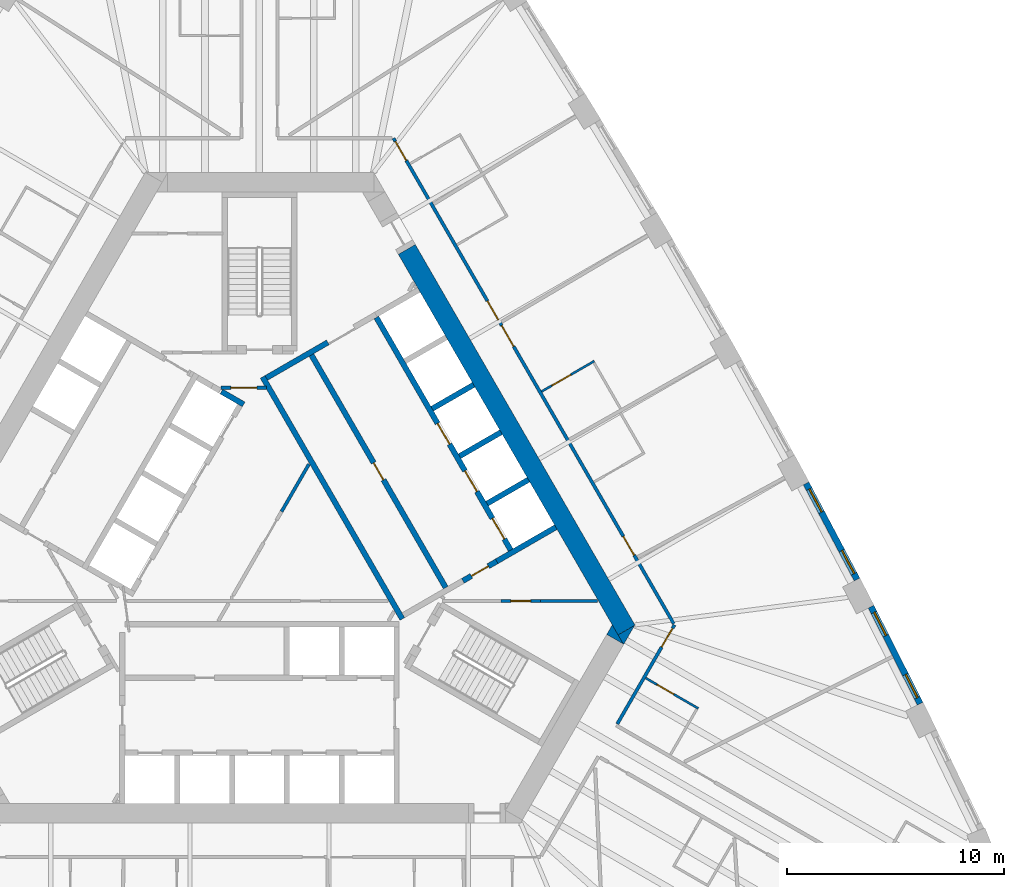
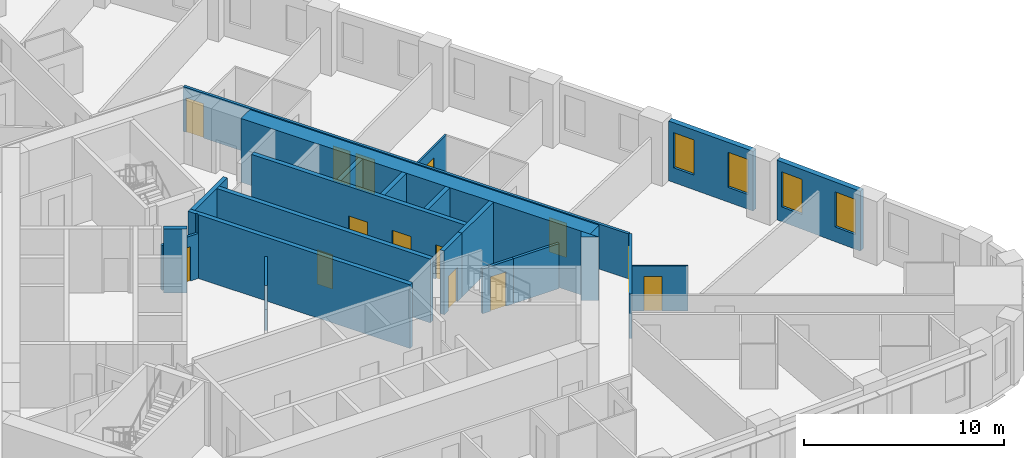
# One storey, part 8 of 13: 23 walls, 14 doors, 4 windows, 18 openings.
"""IFC4 building model written with IfcOpenShell, lengths in metres."""

from ifc_helpers import new_model, si_unit, direction, frame, frame_2d, origin, place, context, subcontext, project, spatial, polyline, rectangle, outline, extrude, material, layer, layer_set, type_object, element, fill, save


model = new_model("IFC4")

# Units and contexts
model_context = context("Model", 3, precision=1e-05, world=origin(), true_north=direction((0.0, 1.0)))
body_context = subcontext(model_context, "Body", "Model", "MODEL_VIEW")
ifc_project = project(units=[si_unit("LENGTHUNIT", "METRE"), si_unit("AREAUNIT", "SQUARE_METRE"), si_unit("VOLUMEUNIT", "CUBIC_METRE"), si_unit("PLANEANGLEUNIT", "RADIAN"), si_unit("MASSUNIT", "GRAM", prefix="KILO")], contexts=[model_context])

# Site, building, storey
site_placement = place(None, origin())
site = spatial("IfcSite", under=ifc_project, at=site_placement, CompositionType="ELEMENT")
building_placement = place(site_placement, origin())
building = spatial("IfcBuilding", under=site, at=building_placement, Name="Mestral Congress Tower", CompositionType="ELEMENT")
storey_placement = place(building_placement, frame((0.0, 0.0, 62.699951171875)))
storey = spatial("IfcBuildingStorey", under=building, at=storey_placement, Name="L14", CompositionType="ELEMENT", Elevation=62.699951171875)

# Walls
ifc_material_1 = material(Name="Fire-rated board partition")
ifc_layer_1 = layer(ifc_material_1, 0.14990234375)
ifc_layer_set_1 = layer_set([ifc_layer_1], Name="Fire-rated board partition")
wall_type_1 = type_object("IfcWallType", Name="Core partition 150", PredefinedType="PARTITIONING", material=ifc_layer_set_1)
wall_1_placement = place(storey_placement, frame((12.914794921875, -2.800048828125, 0.0), z_axis=(0.0, 0.0, 1.0), x_axis=(1.0, 0.0, 0.0)))
element("IfcWall", 1, at=wall_1_placement, inside=storey, type_object=wall_type_1, Name="L14 core wall", PredefinedType="PARTITIONING", context=body_context, shape_type="SweptSolid", body=[
    extrude(rectangle(XDim=2.636962890625, YDim=0.14990234375, at=frame_2d((1.318359375, 0.0))), origin(), (0.0, 0.0, 1.0), 2.75),
])
wall_2_placement = place(storey_placement, frame((1.01611328125, 1.30908203125, 0.0), z_axis=(0.0, 0.0, 1.0), x_axis=(0.49998231768, 0.866035612436, 0.0)))
element("IfcWall", 2, at=wall_2_placement, inside=storey, type_object=wall_type_1, Name="L14 core wall", PredefinedType="PARTITIONING", context=body_context, shape_type="SweptSolid", body=[
    extrude(rectangle(XDim=2.52099609375, YDim=0.14990234375, at=frame_2d((1.260498046875, 0.0))), origin(), (0.0, 0.0, 1.0), 2.75),
])

# Wall, opening, door
wall_3_placement = place(storey_placement, frame((-1.765380859375, 7.0, 0.0), z_axis=(0.0, 0.0, 1.0), x_axis=(1.0, 0.0, 0.0)))
wall_3 = element("IfcWall", 3, at=wall_3_placement, inside=storey, type_object=wall_type_1, Name="L14 door wall", PredefinedType="PARTITIONING", context=body_context, shape_type="SweptSolid", body=[
    extrude(rectangle(XDim=2.10009765625, YDim=0.14990234375, at=frame_2d((1.050048828125, 0.0))), origin(), (0.0, 0.0, 1.0), 2.75),
])
opening_1_placement = place(wall_3_placement, frame((0.449951171875, 0.0, 0.0)))
opening_1 = element("IfcOpeningElement", 4, at=opening_1_placement, cuts=wall_3, Name="Opening CD2-FF", PredefinedType="OPENING", context=body_context, shape_type="SweptSolid", body=[
    extrude(rectangle(XDim=1.199951171875, YDim=2.10009765625, at=frame_2d((0.60009765625, 1.050048828125))), frame((0.0, 0.0849609375, 0.0), z_axis=(0.0, -1.0, 0.0), x_axis=(1.0, 0.0, 0.0)), (0.0, 0.0, 1.0), 0.169921875),
])
ifc_material_2 = material(Name="Fire-rated steel door set", Category="steel")
door_type_1 = type_object("IfcDoorType", Name="Core door CD 1200x2100", OperationType="SINGLE_SWING_LEFT", PredefinedType="DOOR", material=ifc_material_2)
door_1_placement = place(opening_1_placement, origin())
door_1 = element("IfcDoor", 5, at=door_1_placement, inside=storey, type_object=door_type_1, Name="Door CD2-FF", OperationType="SINGLE_SWING_LEFT", OverallHeight=2.10009765625, OverallWidth=1.199951171875, PredefinedType="DOOR", context=body_context, shape_type="SweptSolid", body=[
    extrude(rectangle(XDim=1.199951171875, YDim=2.10009765625, at=frame_2d((0.60009765625, 1.050048828125))), frame((0.0, 0.02490234375, 0.0), z_axis=(0.0, -1.0, 0.0), x_axis=(1.0, 0.0, 0.0)), (0.0, 0.0, 1.0), 0.050048828125),
])
fill(opening_1, door_1)

wall_4_placement = place(storey_placement, frame((11.114501953125, -2.800048828125, 0.0), z_axis=(0.0, 0.0, 1.0), x_axis=(1.0, 0.0, 0.0)))
wall_4 = element("IfcWall", 6, at=wall_4_placement, inside=storey, type_object=wall_type_1, Name="L14 door wall", PredefinedType="PARTITIONING", context=body_context, shape_type="SweptSolid", body=[
    extrude(rectangle(XDim=1.800048828125, YDim=0.14990234375, at=frame_2d((0.89990234375, 0.0))), origin(), (0.0, 0.0, 1.0), 2.75),
])
opening_2_placement = place(wall_4_placement, frame((0.449951171875, 0.0, 0.0)))
opening_2 = element("IfcOpeningElement", 7, at=opening_2_placement, cuts=wall_4, Name="Opening TD1", PredefinedType="OPENING", context=body_context, shape_type="SweptSolid", body=[
    extrude(rectangle(XDim=0.89990234375, YDim=2.10009765625, at=frame_2d((0.449951171875, 1.050048828125))), frame((0.0, 0.0849609375, 0.0), z_axis=(0.0, -1.0, 0.0), x_axis=(1.0, 0.0, 0.0)), (0.0, 0.0, 1.0), 0.169921875),
])
door_type_2 = type_object("IfcDoorType", Name="Core door SR 900x2100", OperationType="SINGLE_SWING_LEFT", PredefinedType="DOOR", material=ifc_material_2)
door_2_placement = place(opening_2_placement, origin())
door_2 = element("IfcDoor", 8, at=door_2_placement, inside=storey, type_object=door_type_2, Name="Door TD1", OperationType="SINGLE_SWING_LEFT", OverallHeight=2.10009765625, OverallWidth=0.89990234375, PredefinedType="DOOR", context=body_context, shape_type="SweptSolid", body=[
    extrude(rectangle(XDim=0.89990234375, YDim=2.10009765625, at=frame_2d((0.449951171875, 1.050048828125))), frame((0.0, 0.02490234375, 0.0), z_axis=(0.0, -1.0, 0.0), x_axis=(1.0, 0.0, 0.0)), (0.0, 0.0, 1.0), 0.050048828125),
])
fill(opening_2, door_2)

# Walls
ifc_material_3 = material(Name="Concrete C60/75", Category="concrete")
ifc_layer_2 = layer(ifc_material_3, 0.89990234375)
ifc_layer_set_2 = layer_set([ifc_layer_2], Name="Concrete C60/75")
wall_type_2 = type_object("IfcWallType", Name="Core wall RC 900", PredefinedType="SOLIDWALL", material=ifc_layer_set_2)
wall_5_placement = place(storey_placement, frame((6.77587890625, 13.36376953125, 0.0), z_axis=(0.0, 0.0, 1.0), x_axis=(0.500004177138, -0.8660229921, 0.0)))
element("IfcWall", 9, at=wall_5_placement, inside=storey, type_object=wall_type_2, Name="L14 core wall", PredefinedType="SOLIDWALL", context=body_context, shape_type="SweptSolid", body=[
    extrude(rectangle(XDim=20.203857421875, YDim=0.89990234375, at=frame_2d((10.10205078125, 0.0))), origin(), (0.0, 0.0, 1.0), 3.900146484375),
])
placement = place(storey_placement, origin())
element("IfcWall", 10, at=placement, inside=storey, type_object=wall_type_2, Name="L14 core wall", PredefinedType="SOLIDWALL", context=body_context, shape_type="SweptSolid", body=[
    extrude(outline(polyline([(16.7431640625, -4.800048828125), (16.4892578125, -4.360107421875), (17.251220703125, -3.920166015625), (16.7431640625, -4.800048828125)])), origin(), (0.0, 0.0, 1.0), 3.900146484375),
])
element("IfcWall", 11, at=placement, inside=storey, type_object=wall_type_2, Name="L14 core wall", PredefinedType="SOLIDWALL", context=body_context, shape_type="SweptSolid", body=[
    extrude(outline(polyline([(16.223388671875, -3.900146484375), (16.731689453125, -4.780029296875), (15.969482421875, -4.340087890625), (16.223388671875, -3.900146484375)])), origin(), (0.0, 0.0, 1.0), 3.900146484375),
])

# Wall, openings, windows
ifc_material_4 = material(Name="Precast concrete C40/50 with limestone facing", Category="masonry")
ifc_layer_3 = layer(ifc_material_4, 0.2900390625)
ifc_layer_set_3 = layer_set([ifc_layer_3], Name="Precast concrete C40/50 with limestone facing")
wall_type_3 = type_object("IfcWallType", Name="Facade stone wall 290", PredefinedType="SOLIDWALL", material=ifc_layer_set_3)
wall_8_placement = place(storey_placement, frame((30.376953125, -7.5205078125, 0.0), z_axis=(0.0, 0.0, 1.0), x_axis=(-0.451233929645, 0.892405704115, 0.0)))
wall_8 = element("IfcWall", 12, at=wall_8_placement, inside=storey, type_object=wall_type_3, Name="Facade wall F1-01", PredefinedType="SOLIDWALL", context=body_context, shape_type="SweptSolid", body=[
    extrude(rectangle(XDim=4.998291015625, YDim=0.2900390625, at=frame_2d((2.4990234375, 0.0))), origin(), (0.0, 0.0, 1.0), 3.650146484375),
])
opening_3_placement = place(wall_8_placement, frame((0.297119140625, 0.0, 0.89990234375)))
opening_3 = element("IfcOpeningElement", 13, at=opening_3_placement, cuts=wall_8, Name="Opening W1", PredefinedType="OPENING", context=body_context, shape_type="SweptSolid", body=[
    extrude(rectangle(XDim=1.199951171875, YDim=2.14990234375, at=frame_2d((0.60009765625, 1.074951171875))), frame((0.0, 0.155029296875, 0.0), z_axis=(0.0, -1.0, 0.0), x_axis=(1.0, 0.0, 0.0)), (0.0, 0.0, 1.0), 0.31005859375),
])
opening_4_placement = place(wall_8_placement, frame((3.501220703125, 0.0, 0.89990234375)))
opening_4 = element("IfcOpeningElement", 14, at=opening_4_placement, cuts=wall_8, Name="Opening W1", PredefinedType="OPENING", context=body_context, shape_type="SweptSolid", body=[
    extrude(rectangle(XDim=1.199951171875, YDim=2.14990234375, at=frame_2d((0.60009765625, 1.074951171875))), frame((0.0, 0.155029296875, 0.0), z_axis=(0.0, -1.0, 0.0), x_axis=(1.0, 0.0, 0.0)), (0.0, 0.0, 1.0), 0.31005859375),
])
ifc_material_5 = material(Name="Clear low-emissivity double glazing", Category="glass")
window_type = type_object("IfcWindowType", Name="Facade punched window 1200 x 2150 sill 900", PartitioningType="DOUBLE_PANEL_VERTICAL", PredefinedType="WINDOW", material=ifc_material_5)
window_1_placement = place(opening_3_placement, origin())
window_1 = element("IfcWindow", 15, at=window_1_placement, inside=storey, type_object=window_type, Name="Window F1-01a", OverallHeight=2.14990234375, OverallWidth=1.199951171875, PartitioningType="DOUBLE_PANEL_VERTICAL", PredefinedType="WINDOW", context=body_context, shape_type="SweptSolid", body=[
    extrude(rectangle(XDim=1.199951171875, YDim=2.14990234375, at=frame_2d((0.60009765625, 1.074951171875))), frame((0.0, 0.01513671875, 0.0), z_axis=(0.0, -1.0, 0.0), x_axis=(1.0, 0.0, 0.0)), (0.0, 0.0, 1.0), 0.06005859375),
])
fill(opening_3, window_1)
window_2_placement = place(opening_4_placement, origin())
window_2 = element("IfcWindow", 16, at=window_2_placement, inside=storey, type_object=window_type, Name="Window F1-01b", OverallHeight=2.14990234375, OverallWidth=1.199951171875, PartitioningType="DOUBLE_PANEL_VERTICAL", PredefinedType="WINDOW", context=body_context, shape_type="SweptSolid", body=[
    extrude(rectangle(XDim=1.199951171875, YDim=2.14990234375, at=frame_2d((0.60009765625, 1.074951171875))), frame((0.0, 0.01513671875, 0.0), z_axis=(0.0, -1.0, 0.0), x_axis=(1.0, 0.0, 0.0)), (0.0, 0.0, 1.0), 0.06005859375),
])
fill(opening_4, window_2)

wall_9_placement = place(storey_placement, frame((27.47509765625, -1.810302734375, 0.0), z_axis=(0.0, 0.0, 1.0), x_axis=(-0.467629620899, 0.883924509026, 0.0)))
wall_9 = element("IfcWall", 17, at=wall_9_placement, inside=storey, type_object=wall_type_3, Name="Facade wall F1-02", PredefinedType="SOLIDWALL", context=body_context, shape_type="SweptSolid", body=[
    extrude(rectangle(XDim=4.998291015625, YDim=0.2900390625, at=frame_2d((2.4990234375, 0.0))), origin(), (0.0, 0.0, 1.0), 3.650146484375),
])
opening_5_placement = place(wall_9_placement, frame((0.297119140625, 0.0, 0.89990234375)))
opening_5 = element("IfcOpeningElement", 18, at=opening_5_placement, cuts=wall_9, Name="Opening W1", PredefinedType="OPENING", context=body_context, shape_type="SweptSolid", body=[
    extrude(rectangle(XDim=1.199951171875, YDim=2.14990234375, at=frame_2d((0.60009765625, 1.074951171875))), frame((0.0, 0.155029296875, 0.0), z_axis=(0.0, -1.0, 0.0), x_axis=(1.0, 0.0, 0.0)), (0.0, 0.0, 1.0), 0.31005859375),
])
opening_6_placement = place(wall_9_placement, frame((3.501220703125, 0.0, 0.89990234375)))
opening_6 = element("IfcOpeningElement", 19, at=opening_6_placement, cuts=wall_9, Name="Opening W1", PredefinedType="OPENING", context=body_context, shape_type="SweptSolid", body=[
    extrude(rectangle(XDim=1.199951171875, YDim=2.14990234375, at=frame_2d((0.60009765625, 1.074951171875))), frame((0.0, 0.155029296875, 0.0), z_axis=(0.0, -1.0, 0.0), x_axis=(1.0, 0.0, 0.0)), (0.0, 0.0, 1.0), 0.31005859375),
])
window_3_placement = place(opening_5_placement, origin())
window_3 = element("IfcWindow", 20, at=window_3_placement, inside=storey, type_object=window_type, Name="Window F1-02a", OverallHeight=2.14990234375, OverallWidth=1.199951171875, PartitioningType="DOUBLE_PANEL_VERTICAL", PredefinedType="WINDOW", context=body_context, shape_type="SweptSolid", body=[
    extrude(rectangle(XDim=1.199951171875, YDim=2.14990234375, at=frame_2d((0.60009765625, 1.074951171875))), frame((0.0, 0.01513671875, 0.0), z_axis=(0.0, -1.0, 0.0), x_axis=(1.0, 0.0, 0.0)), (0.0, 0.0, 1.0), 0.06005859375),
])
fill(opening_5, window_3)
window_4_placement = place(opening_6_placement, origin())
window_4 = element("IfcWindow", 21, at=window_4_placement, inside=storey, type_object=window_type, Name="Window F1-02b", OverallHeight=2.14990234375, OverallWidth=1.199951171875, PartitioningType="DOUBLE_PANEL_VERTICAL", PredefinedType="WINDOW", context=body_context, shape_type="SweptSolid", body=[
    extrude(rectangle(XDim=1.199951171875, YDim=2.14990234375, at=frame_2d((0.60009765625, 1.074951171875))), frame((0.0, 0.01513671875, 0.0), z_axis=(0.0, -1.0, 0.0), x_axis=(1.0, 0.0, 0.0)), (0.0, 0.0, 1.0), 0.06005859375),
])
fill(opening_6, window_4)

# Wall, opening, door
ifc_material_6 = material(Name="Gypsum board partition on metal studs with mineral wool", Category="composite")
ifc_layer_4 = layer(ifc_material_6, 0.10009765625)
ifc_layer_set_4 = layer_set([ifc_layer_4], Name="Gypsum board partition on metal studs with mineral wool")
wall_type_4 = type_object("IfcWallType", Name="Hotel partition wall 100", PredefinedType="PARTITIONING", material=ifc_layer_set_4)
wall_10_placement = place(storey_placement, frame((20.18212890625, -7.743408203125, 0.0), z_axis=(0.0, 0.0, 1.0), x_axis=(-0.866034573852, 0.49998411664, 0.0)))
wall_10 = element("IfcWall", 22, at=wall_10_placement, inside=storey, type_object=wall_type_4, Name="L14-h-pod09a", PredefinedType="PARTITIONING", context=body_context, shape_type="SweptSolid", body=[
    extrude(rectangle(XDim=2.7998046875, YDim=0.10009765625, at=frame_2d((1.39990234375, 0.0))), origin(), (0.0, 0.0, 1.0), 2.75),
])
opening_7_placement = place(wall_10_placement, frame((1.300048828125, 0.0, 0.0)))
opening_7 = element("IfcOpeningElement", 23, at=opening_7_placement, cuts=wall_10, Name="Opening H04-018", PredefinedType="OPENING", context=body_context, shape_type="SweptSolid", body=[
    extrude(rectangle(XDim=0.89990234375, YDim=2.10009765625, at=frame_2d((0.449951171875, 1.050048828125))), frame((0.0, 0.06005859375, 0.0), z_axis=(0.0, -1.0, 0.0), x_axis=(1.0, 0.0, 0.0)), (0.0, 0.0, 1.0), 0.1201171875),
])
ifc_material_7 = material(Name="Timber veneer door leaf in timber frame", Category="wood")
door_type_3 = type_object("IfcDoorType", Name="Bathroom door 900", OperationType="SINGLE_SWING_LEFT", PredefinedType="DOOR", material=ifc_material_7)
door_3_placement = place(opening_7_placement, origin())
door_3 = element("IfcDoor", 24, at=door_3_placement, inside=storey, type_object=door_type_3, Name="L14-h-d018", OperationType="SINGLE_SWING_RIGHT", OverallHeight=2.10009765625, OverallWidth=0.89990234375, PredefinedType="DOOR", context=body_context, shape_type="SweptSolid", body=[
    extrude(rectangle(XDim=0.89990234375, YDim=2.10009765625, at=frame_2d((0.449951171875, 1.050048828125))), frame((0.0, 0.02490234375, 0.0), z_axis=(0.0, -1.0, 0.0), x_axis=(1.0, 0.0, 0.0)), (0.0, 0.0, 1.0), 0.050048828125),
])
fill(opening_7, door_3)

wall_11_placement = place(storey_placement, frame((15.3974609375, 8.23095703125, 0.0), z_axis=(0.0, 0.0, 1.0), x_axis=(-0.866018616679, -0.500011755427, 0.0)))
wall_11 = element("IfcWall", 25, at=wall_11_placement, inside=storey, type_object=wall_type_4, Name="L14-h-pod11a", PredefinedType="PARTITIONING", context=body_context, shape_type="SweptSolid", body=[
    extrude(rectangle(XDim=2.80029296875, YDim=0.10009765625, at=frame_2d((1.400146484375, 0.0))), origin(), (0.0, 0.0, 1.0), 2.75),
])
opening_8_placement = place(wall_11_placement, frame((1.25, 0.0, 0.0)))
opening_8 = element("IfcOpeningElement", 26, at=opening_8_placement, cuts=wall_11, Name="Opening H04-022", PredefinedType="OPENING", context=body_context, shape_type="SweptSolid", body=[
    extrude(rectangle(XDim=1.0, YDim=2.10009765625, at=frame_2d((0.5, 1.050048828125))), frame((0.0, 0.06005859375, 0.0), z_axis=(0.0, -1.0, 0.0), x_axis=(1.0, 0.0, 0.0)), (0.0, 0.0, 1.0), 0.1201171875),
])
door_type_4 = type_object("IfcDoorType", Name="Accessible bathroom door 1000", OperationType="SINGLE_SWING_LEFT", PredefinedType="DOOR", material=ifc_material_7)
door_4_placement = place(opening_8_placement, origin())
door_4 = element("IfcDoor", 27, at=door_4_placement, inside=storey, type_object=door_type_4, Name="L14-h-d022", OperationType="SINGLE_SWING_LEFT", OverallHeight=2.10009765625, OverallWidth=1.0, PredefinedType="DOOR", context=body_context, shape_type="SweptSolid", body=[
    extrude(rectangle(XDim=1.0, YDim=2.10009765625, at=frame_2d((0.5, 1.050048828125))), frame((0.0, 0.02490234375, 0.0), z_axis=(0.0, -1.0, 0.0), x_axis=(1.0, 0.0, 0.0)), (0.0, 0.0, 1.0), 0.050048828125),
])
fill(opening_8, door_4)

ifc_layer_5 = layer(ifc_material_6, 0.14990234375)
ifc_layer_set_5 = layer_set([ifc_layer_5], Name="Gypsum board partition on metal studs with mineral wool")
wall_type_5 = type_object("IfcWallType", Name="Hotel partition wall 150", PredefinedType="PARTITIONING", material=ifc_layer_set_5)
wall_12_placement = place(storey_placement, frame((19.081298828125, -3.89990234375, 0.0), z_axis=(0.0, 0.0, 1.0), x_axis=(-0.499974327079, -0.866040225545, 0.0)))
wall_12 = element("IfcWall", 28, at=wall_12_placement, inside=storey, type_object=wall_type_5, Name="L14-h-cw02", PredefinedType="PARTITIONING", context=body_context, shape_type="SweptSolid", body=[
    extrude(rectangle(XDim=5.258056640625, YDim=0.14990234375, at=frame_2d((2.62890625, 0.0))), origin(), (0.0, 0.0, 1.0), 2.75),
])
opening_9_placement = place(wall_12_placement, frame((0.179931640625, 0.0, 0.0)))
opening_9 = element("IfcOpeningElement", 29, at=opening_9_placement, cuts=wall_12, Name="Opening H04-017", PredefinedType="OPENING", context=body_context, shape_type="SweptSolid", body=[
    extrude(rectangle(XDim=1.0, YDim=2.10009765625, at=frame_2d((0.5, 1.050048828125))), frame((0.0, 0.0849609375, 0.0), z_axis=(0.0, -1.0, 0.0), x_axis=(1.0, 0.0, 0.0)), (0.0, 0.0, 1.0), 0.169921875),
])
ifc_material_8 = material(Name="Timber veneer door leaf in metal frame", Category="wood")
door_type_5 = type_object("IfcDoorType", Name="Guest room entrance door 1000", OperationType="SINGLE_SWING_LEFT", PredefinedType="DOOR", material=ifc_material_8)
door_5_placement = place(opening_9_placement, origin())
door_5 = element("IfcDoor", 30, at=door_5_placement, inside=storey, type_object=door_type_5, Name="L14-h-d017", OperationType="SINGLE_SWING_LEFT", OverallHeight=2.10009765625, OverallWidth=1.0, PredefinedType="DOOR", context=body_context, shape_type="SweptSolid", body=[
    extrude(rectangle(XDim=1.0, YDim=2.10009765625, at=frame_2d((0.5, 1.050048828125))), frame((0.0, 0.02490234375, 0.0), z_axis=(0.0, -1.0, 0.0), x_axis=(1.0, 0.0, 0.0)), (0.0, 0.0, 1.0), 0.050048828125),
])
fill(opening_9, door_5)

# Wall, openings, doors
wall_13_placement = place(storey_placement, frame((6.1630859375, 18.47509765625, 0.0), z_axis=(0.0, 0.0, 1.0), x_axis=(0.500001317485, -0.866024643133, 0.0)))
wall_13 = element("IfcWall", 31, at=wall_13_placement, inside=storey, type_object=wall_type_5, Name="L14-h-cw03", PredefinedType="PARTITIONING", context=body_context, shape_type="SweptSolid", body=[
    extrude(rectangle(XDim=25.7666015625, YDim=0.14990234375, at=frame_2d((12.88330078125, 0.0))), origin(), (0.0, 0.0, 1.0), 2.75),
])
opening_10_placement = place(wall_13_placement, frame((21.13818359375, 0.0, 0.0)))
opening_10 = element("IfcOpeningElement", 32, at=opening_10_placement, cuts=wall_13, Name="Opening H04-019", PredefinedType="OPENING", context=body_context, shape_type="SweptSolid", body=[
    extrude(rectangle(XDim=1.0, YDim=2.10009765625, at=frame_2d((0.5, 1.050048828125))), frame((0.0, 0.0849609375, 0.0), z_axis=(0.0, -1.0, 0.0), x_axis=(1.0, 0.0, 0.0)), (0.0, 0.0, 1.0), 0.169921875),
])
opening_11_placement = place(wall_13_placement, frame((9.94775390625, 0.0, 0.0)))
opening_11 = element("IfcOpeningElement", 33, at=opening_11_placement, cuts=wall_13, Name="Opening H04-021", PredefinedType="OPENING", context=body_context, shape_type="SweptSolid", body=[
    extrude(rectangle(XDim=1.10009765625, YDim=2.10009765625, at=frame_2d((0.550048828125, 1.050048828125))), frame((0.0, 0.0849609375, 0.0), z_axis=(0.0, -1.0, 0.0), x_axis=(1.0, 0.0, 0.0)), (0.0, 0.0, 1.0), 0.169921875),
])
opening_12_placement = place(wall_13_placement, frame((8.640625, 0.0, 0.0)))
opening_12 = element("IfcOpeningElement", 34, at=opening_12_placement, cuts=wall_13, Name="Opening H04-023", PredefinedType="OPENING", context=body_context, shape_type="SweptSolid", body=[
    extrude(rectangle(XDim=1.0, YDim=2.10009765625, at=frame_2d((0.5, 1.050048828125))), frame((0.0, 0.0849609375, 0.0), z_axis=(0.0, -1.0, 0.0), x_axis=(1.0, 0.0, 0.0)), (0.0, 0.0, 1.0), 0.169921875),
])
opening_13_placement = place(wall_13_placement, frame((0.179931640625, 0.0, 0.0)))
opening_13 = element("IfcOpeningElement", 35, at=opening_13_placement, cuts=wall_13, Name="Opening H04-025", PredefinedType="OPENING", context=body_context, shape_type="SweptSolid", body=[
    extrude(rectangle(XDim=1.0, YDim=2.10009765625, at=frame_2d((0.5, 1.050048828125))), frame((0.0, 0.0849609375, 0.0), z_axis=(0.0, -1.0, 0.0), x_axis=(1.0, 0.0, 0.0)), (0.0, 0.0, 1.0), 0.169921875),
])
door_type_6 = type_object("IfcDoorType", Name="Accessible room entrance door 1100", OperationType="SINGLE_SWING_LEFT", PredefinedType="DOOR", material=ifc_material_8)
door_6_placement = place(opening_11_placement, origin())
door_6 = element("IfcDoor", 36, at=door_6_placement, inside=storey, type_object=door_type_6, Name="L14-h-d021", OperationType="SINGLE_SWING_LEFT", OverallHeight=2.10009765625, OverallWidth=1.10009765625, PredefinedType="DOOR", context=body_context, shape_type="SweptSolid", body=[
    extrude(rectangle(XDim=1.10009765625, YDim=2.10009765625, at=frame_2d((0.550048828125, 1.050048828125))), frame((0.0, 0.02490234375, 0.0), z_axis=(0.0, -1.0, 0.0), x_axis=(1.0, 0.0, 0.0)), (0.0, 0.0, 1.0), 0.050048828125),
])
fill(opening_11, door_6)
door_7_placement = place(opening_10_placement, origin())
door_7 = element("IfcDoor", 37, at=door_7_placement, inside=storey, type_object=door_type_5, Name="L14-h-d019", OperationType="SINGLE_SWING_RIGHT", OverallHeight=2.10009765625, OverallWidth=1.0, PredefinedType="DOOR", context=body_context, shape_type="SweptSolid", body=[
    extrude(rectangle(XDim=1.0, YDim=2.10009765625, at=frame_2d((0.5, 1.050048828125))), frame((0.0, 0.02490234375, 0.0), z_axis=(0.0, -1.0, 0.0), x_axis=(1.0, 0.0, 0.0)), (0.0, 0.0, 1.0), 0.050048828125),
])
fill(opening_10, door_7)
door_8_placement = place(opening_12_placement, origin())
door_8 = element("IfcDoor", 38, at=door_8_placement, inside=storey, type_object=door_type_5, Name="L14-h-d023", OperationType="SINGLE_SWING_RIGHT", OverallHeight=2.10009765625, OverallWidth=1.0, PredefinedType="DOOR", context=body_context, shape_type="SweptSolid", body=[
    extrude(rectangle(XDim=1.0, YDim=2.10009765625, at=frame_2d((0.5, 1.050048828125))), frame((0.0, 0.02490234375, 0.0), z_axis=(0.0, -1.0, 0.0), x_axis=(1.0, 0.0, 0.0)), (0.0, 0.0, 1.0), 0.050048828125),
])
fill(opening_12, door_8)
door_9_placement = place(opening_13_placement, origin())
door_9 = element("IfcDoor", 39, at=door_9_placement, inside=storey, type_object=door_type_5, Name="L14-h-d025", OperationType="SINGLE_SWING_LEFT", OverallHeight=2.10009765625, OverallWidth=1.0, PredefinedType="DOOR", context=body_context, shape_type="SweptSolid", body=[
    extrude(rectangle(XDim=1.0, YDim=2.10009765625, at=frame_2d((0.5, 1.050048828125))), frame((0.0, 0.02490234375, 0.0), z_axis=(0.0, -1.0, 0.0), x_axis=(1.0, 0.0, 0.0)), (0.0, 0.0, 1.0), 0.050048828125),
])
fill(opening_13, door_9)

# Walls
ifc_layer_6 = layer(ifc_material_3, 0.25)
ifc_layer_set_6 = layer_set([ifc_layer_6], Name="Concrete C60/75")
wall_type_6 = type_object("IfcWallType", Name="Shaft wall RC 250", PredefinedType="SOLIDWALL", material=ifc_layer_set_6)
wall_14_placement = place(storey_placement, frame((10.463623046875, 1.676513671875, 0.0), z_axis=(0.0, 0.0, 1.0), x_axis=(0.86605622881, 0.499946605688, 0.0)))
element("IfcWall", 40, at=wall_14_placement, inside=storey, type_object=wall_type_6, Name="L14 core wall", PredefinedType="SOLIDWALL", context=body_context, shape_type="SweptSolid", body=[
    extrude(rectangle(XDim=2.199951171875, YDim=0.25, at=frame_2d((1.10009765625, 0.0))), origin(), (0.0, 0.0, 1.0), 3.900146484375),
])
element("IfcWall", 41, at=placement, inside=storey, type_object=wall_type_6, Name="L14 core wall", PredefinedType="SOLIDWALL", context=body_context, shape_type="SweptSolid", body=[
    extrude(outline(polyline([(0.334716796875, 6.925048828125), (0.334716796875, 6.925048828125), (0.334716796875, 7.074951171875), (0.334716796875, 7.074951171875), (0.334716796875, 7.0751953125), (0.245361328125, 7.0751953125), (0.079345703125, 7.362548828125), (0.03515625, 7.439208984375), (0.251708984375, 7.564208984375), (0.376708984375, 7.34765625), (6.551513671875, -3.34765625), (6.676513671875, -3.564208984375), (6.460205078125, -3.689208984375), (4.896728515625, -0.981201171875), (0.33203125, 6.9248046875), (0.334716796875, 6.9248046875), (0.334716796875, 6.925048828125)])), origin(), (0.0, 0.0, 1.0), 3.900146484375),
])
wall_16_placement = place(storey_placement, frame((0.314208984375, 7.455810546875, 0.0), z_axis=(0.0, 0.0, 1.0), x_axis=(0.866013897511, 0.50001992892, 0.0)))
element("IfcWall", 42, at=wall_16_placement, inside=storey, type_object=wall_type_6, Name="L14 core wall", PredefinedType="SOLIDWALL", context=body_context, shape_type="SweptSolid", body=[
    extrude(rectangle(XDim=3.267822265625, YDim=0.25, at=frame_2d((1.6337890625, 0.0))), origin(), (0.0, 0.0, 1.0), 3.900146484375),
])
for number, where, z_axis, x_axis, name in (
    (43, (7.943603515625, 6.041259765625, 0.0), (0.0, 0.0, 1.0), (0.86605622881, 0.499946605688, 0.0), "L14 core wall"),
    (44, (9.20361328125, 3.85888671875, 0.0), (0.0, 0.0, 1.0), (0.86605622881, 0.499946605688, 0.0), "L14 core wall"),
):
    element("IfcWall", number, at=place(storey_placement, frame(where, z_axis=z_axis, x_axis=x_axis)), inside=storey, type_object=wall_type_6, Name=name, PredefinedType="SOLIDWALL", context=body_context, shape_type="SweptSolid", body=[
        extrude(rectangle(XDim=2.199951171875, YDim=0.25, at=frame_2d((1.10009765625, 0.0))), origin(), (0.0, 0.0, 1.0), 3.900146484375),
    ])
wall_17_placement = place(storey_placement, frame((10.910888671875, -0.97509765625, 0.0), z_axis=(0.0, 0.0, 1.0), x_axis=(0.866046979468, 0.499962627957, 0.0)))
element("IfcWall", 45, at=wall_17_placement, inside=storey, type_object=wall_type_6, Name="L14 core wall", PredefinedType="SOLIDWALL", context=body_context, shape_type="SweptSolid", body=[
    extrude(rectangle(XDim=3.138427734375, YDim=0.25, at=frame_2d((1.5693359375, 0.0))), origin(), (0.0, 0.0, 1.0), 3.900146484375),
])
wall_18_placement = place(storey_placement, frame((-0.7275390625, 6.23974609375, 0.0), z_axis=(0.0, 0.0, 1.0), x_axis=(-0.866002680491, 0.500039355833, 0.0)))
element("IfcWall", 46, at=wall_18_placement, inside=storey, type_object=wall_type_6, Name="L14 core wall", PredefinedType="SOLIDWALL", context=body_context, shape_type="SweptSolid", body=[
    extrude(rectangle(XDim=1.17822265625, YDim=0.25, at=frame_2d((0.589111328125, 0.0))), origin(), (0.0, 0.0, 1.0), 3.900146484375),
])

# Wall, openings, doors
wall_19_placement = place(storey_placement, frame((11.552978515625, -0.460205078125, 0.0), z_axis=(0.0, 0.0, 1.0), x_axis=(-0.500006514828, 0.866021642414, 0.0)))
wall_19 = element("IfcWall", 47, at=wall_19_placement, inside=storey, type_object=wall_type_6, Name="L14 door wall", PredefinedType="SOLIDWALL", context=body_context, shape_type="SweptSolid", body=[
    extrude(rectangle(XDim=12.349853515625, YDim=0.25, at=frame_2d((6.1748046875, 0.0))), origin(), (0.0, 0.0, 1.0), 3.900146484375),
])
opening_14_placement = place(wall_19_placement, frame((0.5849609375, 0.0, 0.0)))
opening_14 = element("IfcOpeningElement", 48, at=opening_14_placement, cuts=wall_19, Name="Opening LD-NEA1", PredefinedType="OPENING", context=body_context, shape_type="SweptSolid", body=[
    extrude(rectangle(XDim=1.10009765625, YDim=2.10009765625, at=frame_2d((0.550048828125, 1.050048828125))), frame((0.0, 0.135009765625, 0.0), z_axis=(0.0, -1.0, 0.0), x_axis=(1.0, 0.0, 0.0)), (0.0, 0.0, 1.0), 0.27001953125),
])
opening_15_placement = place(wall_19_placement, frame((3.10498046875, 0.0, 0.0)))
opening_15 = element("IfcOpeningElement", 49, at=opening_15_placement, cuts=wall_19, Name="Opening LD-NEA2", PredefinedType="OPENING", context=body_context, shape_type="SweptSolid", body=[
    extrude(rectangle(XDim=1.10009765625, YDim=2.10009765625, at=frame_2d((0.550048828125, 1.050048828125))), frame((0.0, 0.135009765625, 0.0), z_axis=(0.0, -1.0, 0.0), x_axis=(1.0, 0.0, 0.0)), (0.0, 0.0, 1.0), 0.27001953125),
])
opening_16_placement = place(wall_19_placement, frame((5.625, 0.0, 0.0)))
opening_16 = element("IfcOpeningElement", 50, at=opening_16_placement, cuts=wall_19, Name="Opening LD-NEA3", PredefinedType="OPENING", context=body_context, shape_type="SweptSolid", body=[
    extrude(rectangle(XDim=1.10009765625, YDim=2.10009765625, at=frame_2d((0.550048828125, 1.050048828125))), frame((0.0, 0.135009765625, 0.0), z_axis=(0.0, -1.0, 0.0), x_axis=(1.0, 0.0, 0.0)), (0.0, 0.0, 1.0), 0.27001953125),
])
door_type_7 = type_object("IfcDoorType", Name="Core door LD 1100x2100", OperationType="DOUBLE_DOOR_SLIDING", PredefinedType="DOOR", material=ifc_material_2)
door_10_placement = place(opening_14_placement, origin())
door_10 = element("IfcDoor", 51, at=door_10_placement, inside=storey, type_object=door_type_7, Name="Door LD-NEA1", OperationType="DOUBLE_DOOR_SLIDING", OverallHeight=2.10009765625, OverallWidth=1.10009765625, PredefinedType="DOOR", context=body_context, shape_type="SweptSolid", body=[
    extrude(rectangle(XDim=1.10009765625, YDim=2.10009765625, at=frame_2d((0.550048828125, 1.050048828125))), frame((0.0, 0.02490234375, 0.0), z_axis=(0.0, -1.0, 0.0), x_axis=(1.0, 0.0, 0.0)), (0.0, 0.0, 1.0), 0.050048828125),
])
fill(opening_14, door_10)
door_11_placement = place(opening_15_placement, origin())
door_11 = element("IfcDoor", 52, at=door_11_placement, inside=storey, type_object=door_type_7, Name="Door LD-NEA2", OperationType="DOUBLE_DOOR_SLIDING", OverallHeight=2.10009765625, OverallWidth=1.10009765625, PredefinedType="DOOR", context=body_context, shape_type="SweptSolid", body=[
    extrude(rectangle(XDim=1.10009765625, YDim=2.10009765625, at=frame_2d((0.550048828125, 1.050048828125))), frame((0.0, 0.02490234375, 0.0), z_axis=(0.0, -1.0, 0.0), x_axis=(1.0, 0.0, 0.0)), (0.0, 0.0, 1.0), 0.050048828125),
])
fill(opening_15, door_11)
door_12_placement = place(opening_16_placement, origin())
door_12 = element("IfcDoor", 53, at=door_12_placement, inside=storey, type_object=door_type_7, Name="Door LD-NEA3", OperationType="DOUBLE_DOOR_SLIDING", OverallHeight=2.10009765625, OverallWidth=1.10009765625, PredefinedType="DOOR", context=body_context, shape_type="SweptSolid", body=[
    extrude(rectangle(XDim=1.10009765625, YDim=2.10009765625, at=frame_2d((0.550048828125, 1.050048828125))), frame((0.0, 0.02490234375, 0.0), z_axis=(0.0, -1.0, 0.0), x_axis=(1.0, 0.0, 0.0)), (0.0, 0.0, 1.0), 0.050048828125),
])
fill(opening_16, door_12)

# Wall, opening, door
wall_20_placement = place(storey_placement, frame((8.565185546875, -2.185302734375, 0.0), z_axis=(0.0, 0.0, 1.0), x_axis=(-0.499997954832, 0.866026584559, 0.0)))
wall_20 = element("IfcWall", 54, at=wall_20_placement, inside=storey, type_object=wall_type_6, Name="L14 door wall", PredefinedType="SOLIDWALL", context=body_context, shape_type="SweptSolid", body=[
    extrude(rectangle(XDim=12.35009765625, YDim=0.25, at=frame_2d((6.175048828125, 0.0))), origin(), (0.0, 0.0, 1.0), 3.900146484375),
])
opening_17_placement = place(wall_20_placement, frame((5.72509765625, 0.0, 0.0)))
opening_17 = element("IfcOpeningElement", 55, at=opening_17_placement, cuts=wall_20, Name="Opening SR-NEB1", PredefinedType="OPENING", context=body_context, shape_type="SweptSolid", body=[
    extrude(rectangle(XDim=0.89990234375, YDim=2.10009765625, at=frame_2d((0.449951171875, 1.050048828125))), frame((0.0, 0.135009765625, 0.0), z_axis=(0.0, -1.0, 0.0), x_axis=(1.0, 0.0, 0.0)), (0.0, 0.0, 1.0), 0.27001953125),
])
door_13_placement = place(opening_17_placement, origin())
door_13 = element("IfcDoor", 56, at=door_13_placement, inside=storey, type_object=door_type_2, Name="Door SR-NEB1", OperationType="SINGLE_SWING_LEFT", OverallHeight=2.10009765625, OverallWidth=0.89990234375, PredefinedType="DOOR", context=body_context, shape_type="SweptSolid", body=[
    extrude(rectangle(XDim=0.89990234375, YDim=2.10009765625, at=frame_2d((0.449951171875, 1.050048828125))), frame((0.0, 0.02490234375, 0.0), z_axis=(0.0, -1.0, 0.0), x_axis=(1.0, 0.0, 0.0)), (0.0, 0.0, 1.0), 0.050048828125),
])
fill(opening_17, door_13)

wall_21_placement = place(storey_placement, frame((9.35205078125, -1.875244140625, 0.0), z_axis=(0.0, 0.0, 1.0), x_axis=(0.865989075817, 0.500062916607, 0.0)))
wall_21 = element("IfcWall", 57, at=wall_21_placement, inside=storey, type_object=wall_type_6, Name="L14 door wall", PredefinedType="SOLIDWALL", context=body_context, shape_type="SweptSolid", body=[
    extrude(rectangle(XDim=1.800048828125, YDim=0.25, at=frame_2d((0.89990234375, 0.0))), origin(), (0.0, 0.0, 1.0), 3.900146484375),
])
opening_18_placement = place(wall_21_placement, frame((0.449951171875, 0.0, 0.0)))
opening_18 = element("IfcOpeningElement", 58, at=opening_18_placement, cuts=wall_21, Name="Opening SD-HUB2", PredefinedType="OPENING", context=body_context, shape_type="SweptSolid", body=[
    extrude(rectangle(XDim=0.89990234375, YDim=2.10009765625, at=frame_2d((0.449951171875, 1.050048828125))), frame((0.0, 0.135009765625, 0.0), z_axis=(0.0, -1.0, 0.0), x_axis=(1.0, 0.0, 0.0)), (0.0, 0.0, 1.0), 0.27001953125),
])
door_14_placement = place(opening_18_placement, origin())
door_14 = element("IfcDoor", 59, at=door_14_placement, inside=storey, type_object=door_type_2, Name="Door SD-HUB2", OperationType="SINGLE_SWING_LEFT", OverallHeight=2.10009765625, OverallWidth=0.89990234375, PredefinedType="DOOR", context=body_context, shape_type="SweptSolid", body=[
    extrude(rectangle(XDim=0.89990234375, YDim=2.10009765625, at=frame_2d((0.449951171875, 1.050048828125))), frame((0.0, 0.02490234375, 0.0), z_axis=(0.0, -1.0, 0.0), x_axis=(1.0, 0.0, 0.0)), (0.0, 0.0, 1.0), 0.050048828125),
])
fill(opening_18, door_14)

save(model, "model.ifc")
